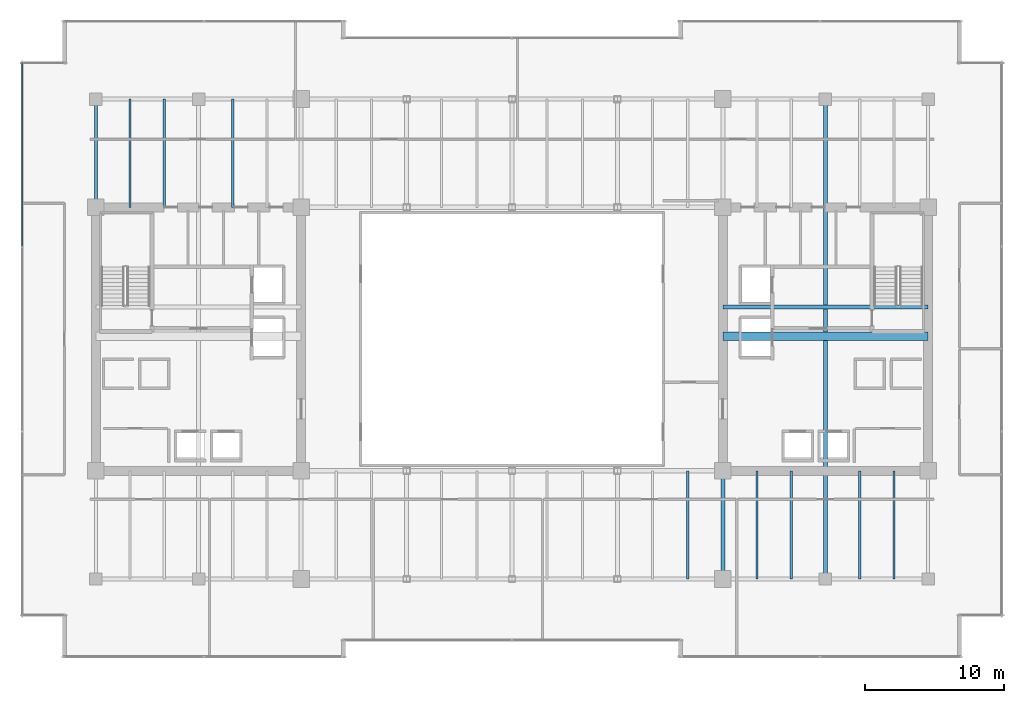
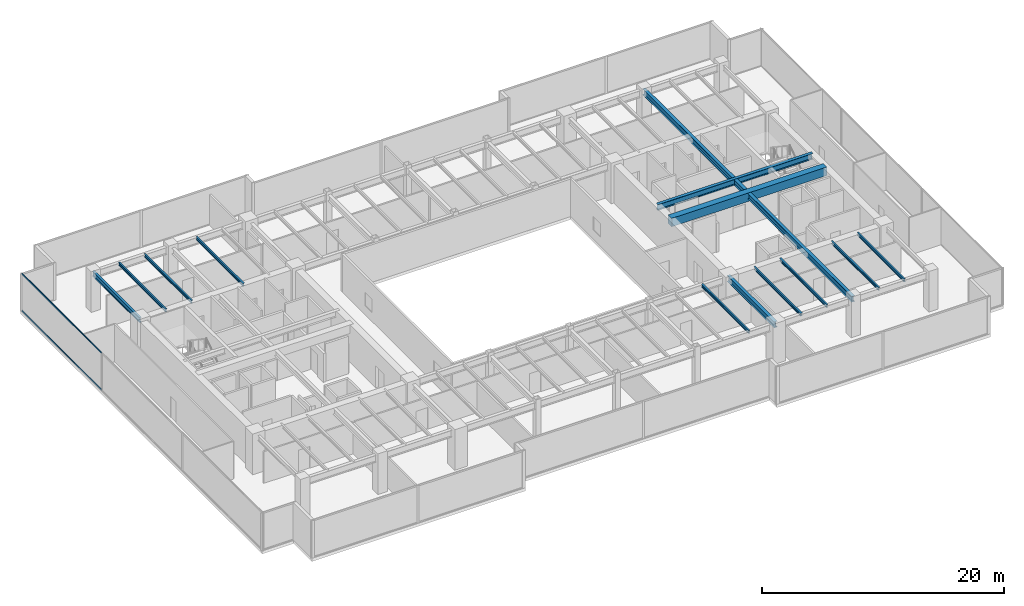
# One storey, part 13 of 30: 13 beams, 2 members, 1 element without a shape of its own.
"""IFC4 building model written with IfcOpenShell, lengths in metres."""

from ifc_helpers import new_model, si_unit, direction, frame, origin, origin_2d, place, context, subcontext, project, spatial, rectangle, hollow_rectangle, i_section, extrude, source, transform, mapped, material, layer, layer_set, material_profile, profile_set, type_object, type_shapes, element, aggregate, save


model = new_model("IFC4")

# Units and contexts
model_context = context("Model", 3, precision=1e-05, world=origin(), true_north=direction((0.0, 1.0)))
body_context = subcontext(model_context, "Body", "Model", "MODEL_VIEW")
ifc_project = project(units=[si_unit("LENGTHUNIT", "METRE"), si_unit("AREAUNIT", "SQUARE_METRE"), si_unit("VOLUMEUNIT", "CUBIC_METRE"), si_unit("PLANEANGLEUNIT", "RADIAN"), si_unit("MASSUNIT", "GRAM", prefix="KILO")], contexts=[model_context])

# Site, building, storey
site_placement = place(None, origin())
site = spatial("IfcSite", under=ifc_project, at=site_placement, CompositionType="ELEMENT")
building_placement = place(site_placement, origin())
building = spatial("IfcBuilding", under=site, at=building_placement, Name="Haelvirn Gate Laboratories", CompositionType="ELEMENT")
storey_placement = place(building_placement, frame((0.0, 0.0, 187.10009765625)))
storey = spatial("IfcBuildingStorey", under=building, at=storey_placement, Name="L45", CompositionType="ELEMENT", Elevation=187.10009765625)

# Beams
ifc_material_1 = material(Name="Steel SM355", Category="steel")
ifc_material_profile_1 = material_profile(ifc_material_1, i_section(OverallWidth=0.300048828125, OverallDepth=0.587890625, WebThickness=0.011962890625, FlangeThickness=0.02001953125, at=origin_2d()), Name="H-588x300x12x20")
ifc_profile_set_1 = profile_set([ifc_material_profile_1], Name="Steel SM355")
beam_type_1 = type_object("IfcBeamType", Name="BM-G-588", PredefinedType="BEAM", material=ifc_profile_set_1)
shared_shape_1 = source(origin(), body_context, "Body", "SweptSolid", [
    extrude(i_section(OverallWidth=0.300048828125, OverallDepth=0.587890625, WebThickness=0.011962890625, FlangeThickness=0.02001953125, at=origin_2d()), origin(), (0.0, 0.0, 1.0), 14.7998046875),
])
beam_1_placement = place(storey_placement, frame((52.60009765625, 26.6201171875, 3.495849609375), z_axis=(1.0, 0.0, 0.0), x_axis=(0.0, 1.0, 0.0)))
element("IfcBeam", 1, at=beam_1_placement, inside=storey, type_object=beam_type_1, Name="L45 Stair ST2 Landing Header", PredefinedType="BEAM", context=body_context, shape_type="MappedRepresentation", body=[
    mapped(shared_shape_1, transform((0.0, 0.0, 0.0), scale=1.0)),
])
ifc_material_profile_2 = material_profile(ifc_material_1, i_section(OverallWidth=0.199951171875, OverallDepth=0.5, WebThickness=0.010009765625, FlangeThickness=0.01611328125, at=origin_2d()), Name="H-500x200x10x16")
ifc_profile_set_2 = profile_set([ifc_material_profile_2], Name="Steel SM355")
beam_type_2 = type_object("IfcBeamType", Name="BM-SP-500", PredefinedType="SPANDREL", material=ifc_profile_set_2)
shared_shape_2 = source(origin(), body_context, "Body", "SweptSolid", [
    extrude(i_section(OverallWidth=0.199951171875, OverallDepth=0.5, WebThickness=0.010009765625, FlangeThickness=0.01611328125, at=origin_2d()), origin(), (0.0, 0.0, 1.0), 7.800048828125),
])
type_shapes(beam_type_2, [shared_shape_2])
beam_2_placement = place(storey_placement, frame((7.39990234375, 33.800048828125, 3.539794921875), z_axis=(0.0, 1.0, 0.0), x_axis=(-1.0, 0.0, 0.0)))
element("IfcBeam", 2, at=beam_2_placement, inside=storey, type_object=beam_type_2, Name="L45 Perimeter Spandrel X7.4 (33.8-41.6)", PredefinedType="SPANDREL", context=body_context, shape_type="MappedRepresentation", body=[
    mapped(shared_shape_2, transform((0.0, 0.0, 0.0), scale=1.0)),
])
ifc_material_profile_3 = material_profile(ifc_material_1, i_section(OverallWidth=0.14990234375, OverallDepth=0.300048828125, WebThickness=0.006591796875, FlangeThickness=0.009033203125, at=origin_2d()), Name="H-300x150x6.5x9")
ifc_profile_set_3 = profile_set([ifc_material_profile_3], Name="Steel SM355")
beam_type_3 = type_object("IfcBeamType", Name="BM-J-300", PredefinedType="JOIST", material=ifc_profile_set_3)
shared_shape_3 = source(origin(), body_context, "Body", "SweptSolid", [
    extrude(i_section(OverallWidth=0.14990234375, OverallDepth=0.300048828125, WebThickness=0.006591796875, FlangeThickness=0.009033203125, at=origin_2d()), origin(), (0.0, 0.0, 1.0), 7.800048828125),
])
type_shapes(beam_type_3, [shared_shape_3])
for number, where, z_axis, x_axis, name in (
    (3, (9.8701171875, 33.800048828125, 3.639892578125), (0.0, 1.0, 0.0), (-1.0, 0.0, 0.0), "L45 Composite Lab Joist North X9.87"),
    (4, (12.330078125, 33.800048828125, 3.639892578125), (0.0, 1.0, 0.0), (-1.0, 0.0, 0.0), "L45 Composite Lab Joist North X12.33"),
    (5, (17.27001953125, 33.800048828125, 3.639892578125), (0.0, 1.0, 0.0), (-1.0, 0.0, 0.0), "L45 Composite Lab Joist North X17.27"),
    (6, (50.070068359375, 7.0, 3.639892578125), (0.0, 1.0, 0.0), (-1.0, 0.0, 0.0), "L45 Composite Lab Joist South X50.07"),
    (7, (55.070068359375, 7.0, 3.639892578125), (0.0, 1.0, 0.0), (-1.0, 0.0, 0.0), "L45 Composite Lab Joist South X55.07"),
    (8, (57.530029296875, 7.0, 3.639892578125), (0.0, 1.0, 0.0), (-1.0, 0.0, 0.0), "L45 Composite Lab Joist South X57.53"),
    (9, (62.469970703125, 7.0, 3.639892578125), (0.0, 1.0, 0.0), (-1.0, 0.0, 0.0), "L45 Composite Lab Joist South X62.47"),
    (10, (64.929931640625, 7.0, 3.639892578125), (0.0, 1.0, 0.0), (-1.0, 0.0, 0.0), "L45 Composite Lab Joist South X64.93"),
):
    element("IfcBeam", number, at=place(storey_placement, frame(where, z_axis=z_axis, x_axis=x_axis)), inside=storey, type_object=beam_type_3, Name=name, PredefinedType="JOIST", context=body_context, shape_type="MappedRepresentation", body=[
        mapped(shared_shape_3, transform((0.0, 0.0, 0.0), scale=1.0)),
    ])
shared_shape_4 = source(origin(), body_context, "Body", "SweptSolid", [
    extrude(i_section(OverallWidth=0.300048828125, OverallDepth=0.587890625, WebThickness=0.011962890625, FlangeThickness=0.02001953125, at=origin_2d()), origin(), (0.0, 0.0, 1.0), 34.60009765625),
])
beam_3_placement = place(storey_placement, frame((60.0, 7.0, 3.495849609375), z_axis=(0.0, 1.0, 0.0), x_axis=(-1.0, 0.0, 0.0)))
element("IfcBeam", 11, at=beam_3_placement, inside=storey, type_object=beam_type_1, Name="L45 Frame Girder X60.0 (7.0-41.6)", PredefinedType="BEAM", context=body_context, shape_type="MappedRepresentation", body=[
    mapped(shared_shape_4, transform((0.0, 0.0, 0.0), scale=1.0)),
])
shared_shape_5 = source(origin(), body_context, "Body", "SweptSolid", [
    extrude(i_section(OverallWidth=0.300048828125, OverallDepth=0.587890625, WebThickness=0.011962890625, FlangeThickness=0.02001953125, at=origin_2d()), origin(), (0.0, 0.0, 1.0), 7.800048828125),
])
type_shapes(beam_type_1, [shared_shape_1, shared_shape_4, shared_shape_5])
beam_4_placement = place(storey_placement, frame((52.60009765625, 7.0, 3.495849609375), z_axis=(0.0, 1.0, 0.0), x_axis=(-1.0, 0.0, 0.0)))
element("IfcBeam", 12, at=beam_4_placement, inside=storey, type_object=beam_type_1, Name="L45 Frame Girder X52.6 (7.0-14.8)", PredefinedType="BEAM", context=body_context, shape_type="MappedRepresentation", body=[
    mapped(shared_shape_5, transform((0.0, 0.0, 0.0), scale=1.0)),
])
ifc_material_2 = material(Name="Concrete C50/60", Category="concrete")
ifc_material_profile_4 = material_profile(ifc_material_2, rectangle(XDim=0.60009765625, YDim=0.85009765625, at=origin_2d()), Name="RCB-600x850")
ifc_profile_set_4 = profile_set([ifc_material_profile_4], Name="Concrete C50/60")
beam_type_4 = type_object("IfcBeamType", Name="BM-RCB-850", PredefinedType="LINTEL", material=ifc_profile_set_4)
shared_shape_6 = source(origin(), body_context, "Body", "SweptSolid", [
    extrude(rectangle(XDim=0.60009765625, YDim=0.85009765625, at=origin_2d()), origin(), (0.0, 0.0, 1.0), 14.7998046875),
])
type_shapes(beam_type_4, [shared_shape_6])
beam_5_placement = place(storey_placement, frame((52.60009765625, 24.5, 3.364990234375), z_axis=(1.0, 0.0, 0.0), x_axis=(0.0, 1.0, 0.0)))
element("IfcBeam", 13, at=beam_5_placement, inside=storey, type_object=beam_type_4, Name="L45 East Core Coupling Beam", PredefinedType="LINTEL", context=body_context, shape_type="MappedRepresentation", body=[
    mapped(shared_shape_6, transform((0.0, 0.0, 0.0), scale=1.0)),
])

# Curtain wall, members
ifc_material_3 = material(Name="Anodised bronze unitised aluminium & triple low-E glass", Category="aluminium")
ifc_layer = layer(ifc_material_3, 0.179931640625, Name="CW-SYS-3")
ifc_layer_set = layer_set([ifc_layer], Name="Anodised bronze unitised aluminium & triple low-E glass")
curtain_wall_type = type_object("IfcCurtainWallType", Name="CW-SYS-3", PredefinedType="NOTDEFINED", material=ifc_layer_set)
curtain_wall_placement = place(storey_placement, origin())
curtain_wall = element("IfcCurtainWall", 14, at=curtain_wall_placement, inside=storey, type_object=curtain_wall_type, Name="L45 Unitised Curtain Wall CW-L45-P0-E17", PredefinedType="NOTDEFINED")
ifc_material_4 = material(Name="Extruded aluminium 6063-T6 (anodised bronze)", Category="aluminium")
ifc_material_profile_5 = material_profile(ifc_material_4, hollow_rectangle(XDim=0.06494140625, YDim=0.139892578125, WallThickness=0.00390625, at=origin_2d()), Name="CWT-140x65x4")
ifc_profile_set_5 = profile_set([ifc_material_profile_5], Name="Extruded aluminium 6063-T6 (anodised bronze)")
member_type = type_object("IfcMemberType", Name="CWT-T140", PredefinedType="USERDEFINED", material=ifc_profile_set_5)
shared_shape_7 = source(origin(), body_context, "Body", "SweptSolid", [
    extrude(hollow_rectangle(XDim=0.06494140625, YDim=0.139892578125, WallThickness=0.00390625, at=origin_2d()), origin(), (0.0, 0.0, 1.0), 13.220947265625),
])
type_shapes(member_type, [shared_shape_7])
member_1_placement = place(storey_placement, frame((2.10009765625, 44.22509765625, 0.032470703125), z_axis=(0.0, -1.0, 0.0), x_axis=(1.0, 0.0, 0.0)))
member_1 = element("IfcMember", 15, at=member_1_placement, type_object=member_type, Name="CW3 transom 1.1", ObjectType="TRANSOM", PredefinedType="USERDEFINED", context=body_context, shape_type="MappedRepresentation", body=[
    mapped(shared_shape_7, transform((0.0, 0.0, 0.0), scale=1.0)),
])
member_2_placement = place(storey_placement, frame((2.10009765625, 44.22509765625, 3.75732421875), z_axis=(0.0, -1.0, 0.0), x_axis=(1.0, 0.0, 0.0)))
member_2 = element("IfcMember", 16, at=member_2_placement, type_object=member_type, Name="CW3 transom 1.2", ObjectType="TRANSOM", PredefinedType="USERDEFINED", context=body_context, shape_type="MappedRepresentation", body=[
    mapped(shared_shape_7, transform((0.0, 0.0, 0.0), scale=1.0)),
])
aggregate(curtain_wall, [member_1, member_2])

save(model, "model.ifc")
